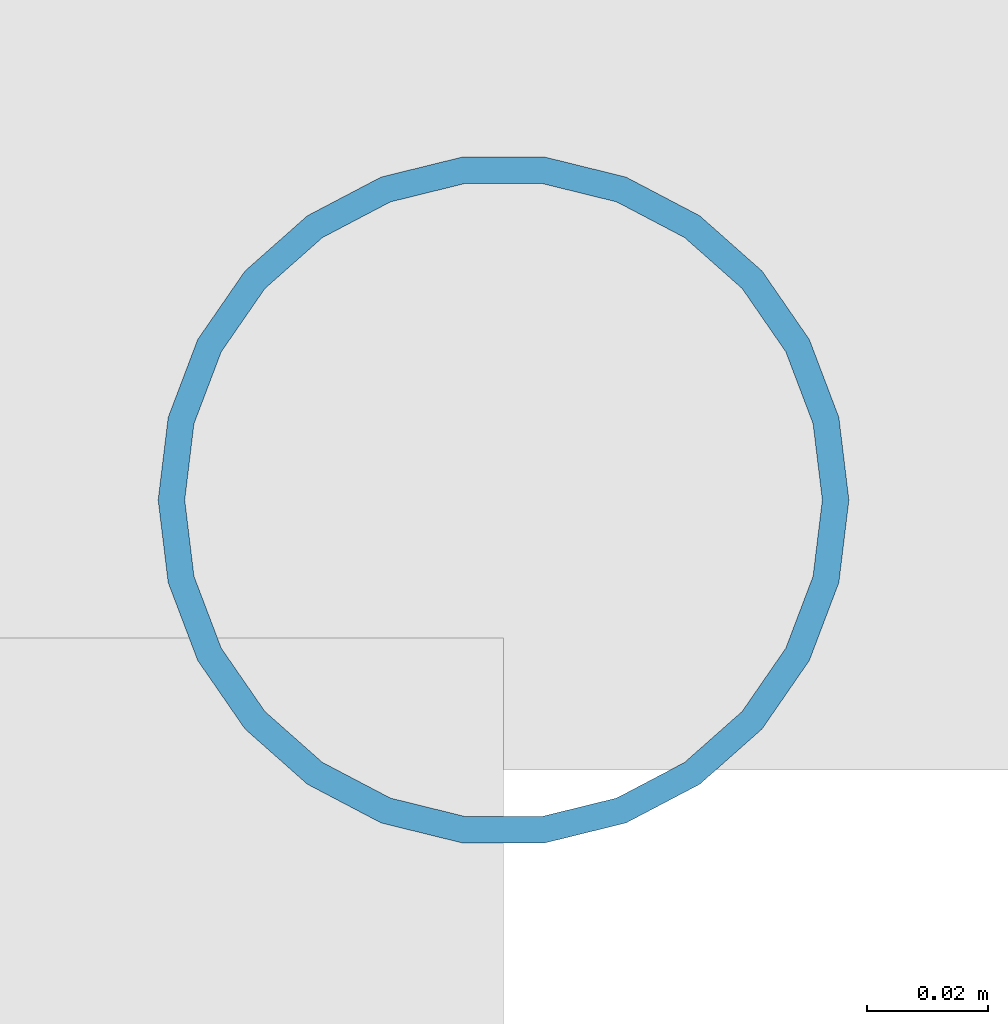
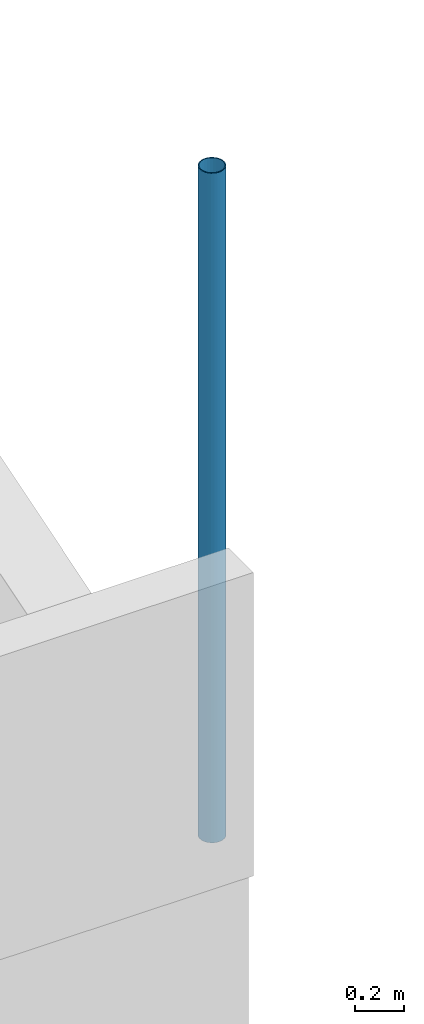
# One storey, part 48 of 85: 1 discrete accessory.
"""IFC4 building model written with IfcOpenShell, lengths in metres."""

from ifc_helpers import new_model, si_unit, direction, frame, origin, origin_2d, place, context, subcontext, project, spatial, hollow_circle, extrude, material, material_profile, profile_set, type_object, element, save


model = new_model("IFC4")

# Units and contexts
model_context = context("Model", 3, precision=1e-05, world=origin(), true_north=direction((0.0, 1.0)))
body_context = subcontext(model_context, "Body", "Model", "MODEL_VIEW")
ifc_project = project(units=[si_unit("LENGTHUNIT", "METRE"), si_unit("AREAUNIT", "SQUARE_METRE"), si_unit("VOLUMEUNIT", "CUBIC_METRE"), si_unit("PLANEANGLEUNIT", "RADIAN"), si_unit("MASSUNIT", "GRAM", prefix="KILO")], contexts=[model_context])

# Site, building, storey
site_placement = place(None, origin())
site = spatial("IfcSite", under=ifc_project, at=site_placement, CompositionType="ELEMENT")
building_placement = place(site_placement, origin())
building = spatial("IfcBuilding", under=site, at=building_placement, Name="Rain Tree Exposition and Congress Centre", CompositionType="ELEMENT")
storey_placement = place(building_placement, frame((0.0, 0.0, 15.0)))
storey = spatial("IfcBuildingStorey", under=building, at=storey_placement, Name="L03", CompositionType="ELEMENT", Elevation=15.0)

# Discrete accessory
ifc_material = material(Name="Steel S355J2H", Category="steel")
ifc_material_profile = material_profile(ifc_material, hollow_circle(Radius=0.05712890625, WallThickness=0.00439453125, at=origin_2d()), Name="CHS 114x4.5")
ifc_profile_set = profile_set([ifc_material_profile], Name="Steel S355J2H")
discrete_accessory_type = type_object("IfcDiscreteAccessoryType", Name="Roof skin post CHS 114x4.5", PredefinedType="BRACKET", material=ifc_profile_set)
discrete_accessory_placement = place(storey_placement, frame((126.0, 100.800048828125, 3.0), z_axis=(0.0, 0.0, 1.0), x_axis=(1.0, 0.0, 0.0)))
element("IfcDiscreteAccessory", 1, at=discrete_accessory_placement, inside=storey, type_object=discrete_accessory_type, Name="Roof skin post A15", PredefinedType="BRACKET", context=body_context, shape_type="SweptSolid", body=[
    extrude(hollow_circle(Radius=0.05712890625, WallThickness=0.00439453125, at=origin_2d()), origin(), (0.0, 0.0, 1.0), 3.3095703125),
])

save(model, "model.ifc")
